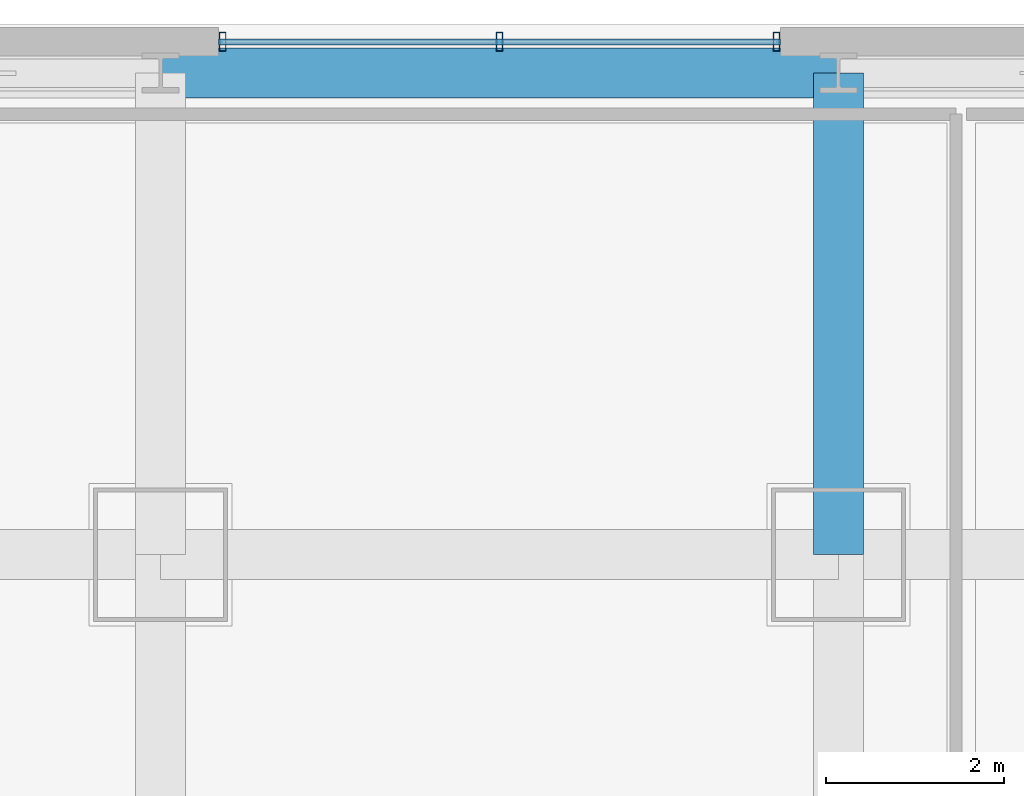
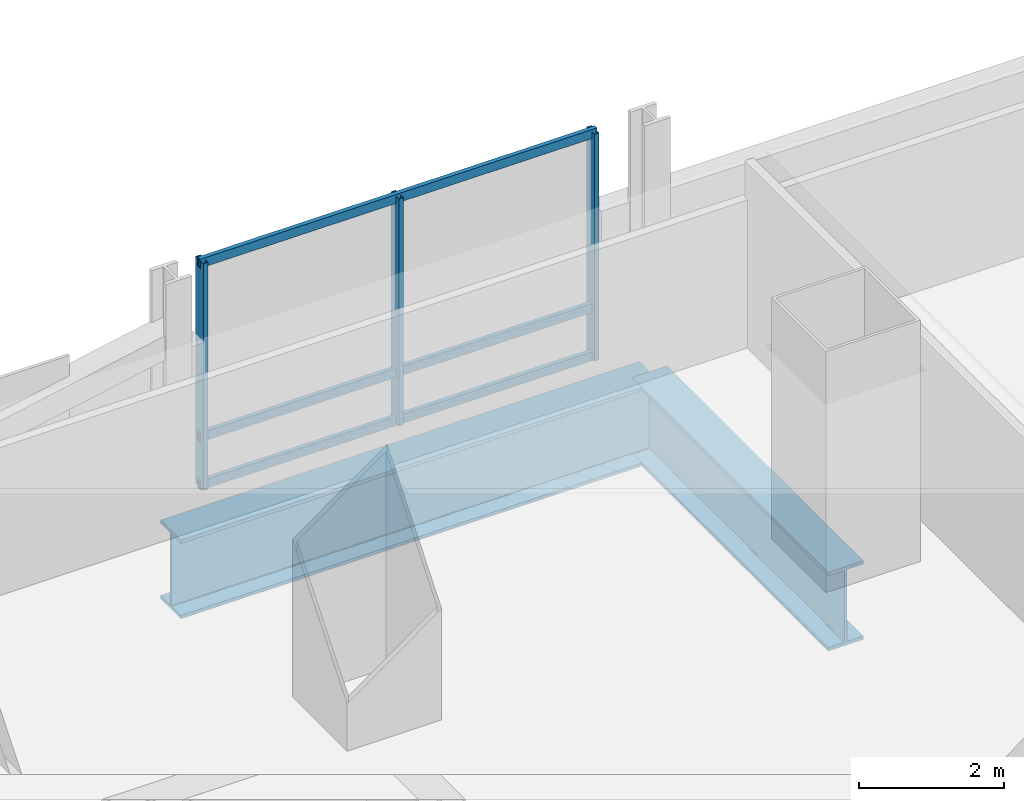
# One storey, part 6 of 28: 6 members, 2 beams, 1 element without a shape of its own.
"""IFC4 building model written with IfcOpenShell, lengths in metres."""

from ifc_helpers import new_model, si_unit, direction, frame, origin, origin_2d, place, context, subcontext, project, spatial, hollow_rectangle, i_section, extrude, material, material_profile, profile_set, type_object, element, aggregate, save


model = new_model("IFC4")

# Units and contexts
model_context = context("Model", 3, precision=1e-05, world=origin(), true_north=direction((0.0, 1.0)))
body_context = subcontext(model_context, "Body", "Model", "MODEL_VIEW")
ifc_project = project(units=[si_unit("LENGTHUNIT", "METRE"), si_unit("AREAUNIT", "SQUARE_METRE"), si_unit("VOLUMEUNIT", "CUBIC_METRE"), si_unit("PLANEANGLEUNIT", "RADIAN"), si_unit("MASSUNIT", "GRAM", prefix="KILO")], contexts=[model_context])

# Site, building, storey
site_placement = place(None, origin())
site = spatial("IfcSite", under=ifc_project, at=site_placement, CompositionType="ELEMENT")
building_placement = place(site_placement, origin())
building = spatial("IfcBuilding", under=site, at=building_placement, Name="Punatoya Terracotta Tower", CompositionType="ELEMENT")
storey_placement = place(building_placement, frame((0.0, 0.0, 93.0)))
storey = spatial("IfcBuildingStorey", under=building, at=storey_placement, Name="L21", CompositionType="ELEMENT", Elevation=93.0)

# Beams
ifc_material_1 = material(Name="Steel S460", Category="steel")
ifc_material_profile_1 = material_profile(ifc_material_1, i_section(OverallWidth=0.56005859375, OverallDepth=1.320068359375, WebThickness=0.035888671875, FlangeThickness=0.054931640625, FilletRadius=0.01806640625, at=origin_2d()))
ifc_profile_set_1 = profile_set([ifc_material_profile_1], Name="Steel S460")
beam_type = type_object("IfcBeamType", Name="BM-TG-BLK", PredefinedType="BEAM", material=ifc_profile_set_1)
beam_1_placement = place(storey_placement, frame((3.800048828125, 17.5, -0.93994140625), z_axis=(0.0, 1.0, 0.0), x_axis=(-1.0, 0.0, 0.0)))
element("IfcBeam", 1, at=beam_1_placement, inside=storey, type_object=beam_type, Name="BM-L21-CANT-N3", PredefinedType="BEAM", context=body_context, shape_type="SweptSolid", body=[
    extrude(i_section(OverallWidth=0.56005859375, OverallDepth=1.320068359375, WebThickness=0.035888671875, FlangeThickness=0.054931640625, FilletRadius=0.01806640625, at=origin_2d()), origin(), (0.0, 0.0, 1.0), 5.39990234375),
])
beam_2_placement = place(storey_placement, frame((-3.800048828125, 22.89990234375, -0.93994140625), z_axis=(1.0, 0.0, 0.0), x_axis=(0.0, 1.0, 0.0)))
element("IfcBeam", 2, at=beam_2_placement, inside=storey, type_object=beam_type, Name="BM-L21-PER-N2", PredefinedType="BEAM", context=body_context, shape_type="SweptSolid", body=[
    extrude(i_section(OverallWidth=0.56005859375, OverallDepth=1.320068359375, WebThickness=0.035888671875, FlangeThickness=0.054931640625, FilletRadius=0.01806640625, at=origin_2d()), origin(), (0.0, 0.0, 1.0), 7.60009765625),
])

# Curtain wall, members
ifc_material_2 = material(Name="Aluminium 6063-T6 + Double Low-E Glass", Category="aluminium")
curtain_wall_type = type_object("IfcCurtainWallType", Name="CW-M1", PredefinedType="NOTDEFINED", material=ifc_material_2)
curtain_wall_placement = place(storey_placement, origin())
curtain_wall = element("IfcCurtainWall", 3, at=curtain_wall_placement, inside=storey, type_object=curtain_wall_type, Name="L21 Curtain Wall CW-L21-N09-1", PredefinedType="NOTDEFINED")
ifc_material_3 = material(Name="Aluminium 6063-T6", Category="aluminium")
ifc_material_profile_2 = material_profile(ifc_material_3, hollow_rectangle(XDim=0.074951171875, YDim=0.2099609375, WallThickness=0.00439453125, at=origin_2d()))
ifc_profile_set_2 = profile_set([ifc_material_profile_2], Name="Aluminium 6063-T6")
member_type_1 = type_object("IfcMemberType", Name="CW-MUL-M1", PredefinedType="MULLION", material=ifc_profile_set_2)
member_1_placement = place(storey_placement, frame((3.10498046875, 23.25, 0.0), z_axis=(0.0, 0.0, 1.0), x_axis=(1.0, 0.0, 0.0)))
member_1 = element("IfcMember", 4, at=member_1_placement, type_object=member_type_1, Name="CW-L21-N09-1 Mullion 00", PredefinedType="MULLION", context=body_context, shape_type="SweptSolid", body=[
    extrude(hollow_rectangle(XDim=0.074951171875, YDim=0.2099609375, WallThickness=0.00439453125, at=origin_2d()), origin(), (0.0, 0.0, 1.0), 3.81005859375),
])
member_2_placement = place(storey_placement, frame((0.0, 23.25, 0.0), z_axis=(0.0, 0.0, 1.0), x_axis=(1.0, 0.0, 0.0)))
member_2 = element("IfcMember", 5, at=member_2_placement, type_object=member_type_1, Name="CW-L21-N09-1 Mullion 01", PredefinedType="MULLION", context=body_context, shape_type="SweptSolid", body=[
    extrude(hollow_rectangle(XDim=0.074951171875, YDim=0.2099609375, WallThickness=0.00439453125, at=origin_2d()), origin(), (0.0, 0.0, 1.0), 3.81005859375),
])
member_3_placement = place(storey_placement, frame((-3.10498046875, 23.25, 0.0), z_axis=(0.0, 0.0, 1.0), x_axis=(1.0, 0.0, 0.0)))
member_3 = element("IfcMember", 6, at=member_3_placement, type_object=member_type_1, Name="CW-L21-N09-1 Mullion 02", PredefinedType="MULLION", context=body_context, shape_type="SweptSolid", body=[
    extrude(hollow_rectangle(XDim=0.074951171875, YDim=0.2099609375, WallThickness=0.00439453125, at=origin_2d()), origin(), (0.0, 0.0, 1.0), 3.81005859375),
])
ifc_material_profile_3 = material_profile(ifc_material_3, hollow_rectangle(XDim=0.068115234375, YDim=0.14990234375, WallThickness=0.00390625, at=origin_2d()))
ifc_profile_set_3 = profile_set([ifc_material_profile_3], Name="Aluminium 6063-T6")
member_type_2 = type_object("IfcMemberType", Name="CW-TRN-TYP", PredefinedType="USERDEFINED", material=ifc_profile_set_3)
member_4_placement = place(storey_placement, frame((3.14990234375, 23.25, 0.0400390625), z_axis=(-1.0, 0.0, 0.0), x_axis=(0.0, -1.0, 0.0)))
member_4 = element("IfcMember", 7, at=member_4_placement, type_object=member_type_2, Name="CW-L21-N09-1 Transom 1", ObjectType="TRANSOM", PredefinedType="USERDEFINED", context=body_context, shape_type="SweptSolid", body=[
    extrude(hollow_rectangle(XDim=0.068115234375, YDim=0.14990234375, WallThickness=0.00390625, at=origin_2d()), origin(), (0.0, 0.0, 1.0), 6.2998046875),
])
member_5_placement = place(storey_placement, frame((3.14990234375, 23.25, 0.85009765625), z_axis=(-1.0, 0.0, 0.0), x_axis=(0.0, -1.0, 0.0)))
member_5 = element("IfcMember", 8, at=member_5_placement, type_object=member_type_2, Name="CW-L21-N09-1 Transom 2", ObjectType="TRANSOM", PredefinedType="USERDEFINED", context=body_context, shape_type="SweptSolid", body=[
    extrude(hollow_rectangle(XDim=0.068115234375, YDim=0.14990234375, WallThickness=0.00390625, at=origin_2d()), origin(), (0.0, 0.0, 1.0), 6.2998046875),
])
member_6_placement = place(storey_placement, frame((3.14990234375, 23.25, 3.77001953125), z_axis=(-1.0, 0.0, 0.0), x_axis=(0.0, -1.0, 0.0)))
member_6 = element("IfcMember", 9, at=member_6_placement, type_object=member_type_2, Name="CW-L21-N09-1 Transom 3", ObjectType="TRANSOM", PredefinedType="USERDEFINED", context=body_context, shape_type="SweptSolid", body=[
    extrude(hollow_rectangle(XDim=0.068115234375, YDim=0.14990234375, WallThickness=0.00390625, at=origin_2d()), origin(), (0.0, 0.0, 1.0), 6.2998046875),
])
aggregate(curtain_wall, [member_1, member_2, member_3, member_4, member_5, member_6])

save(model, "model.ifc")
